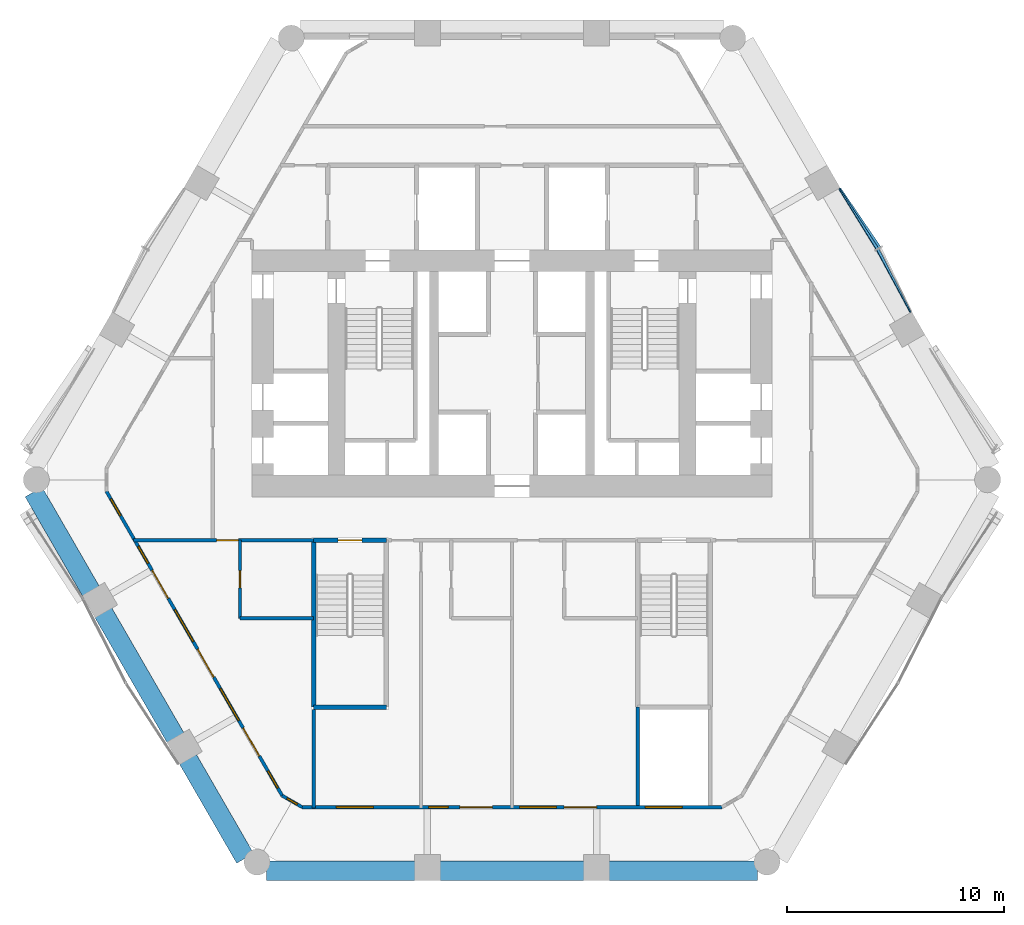
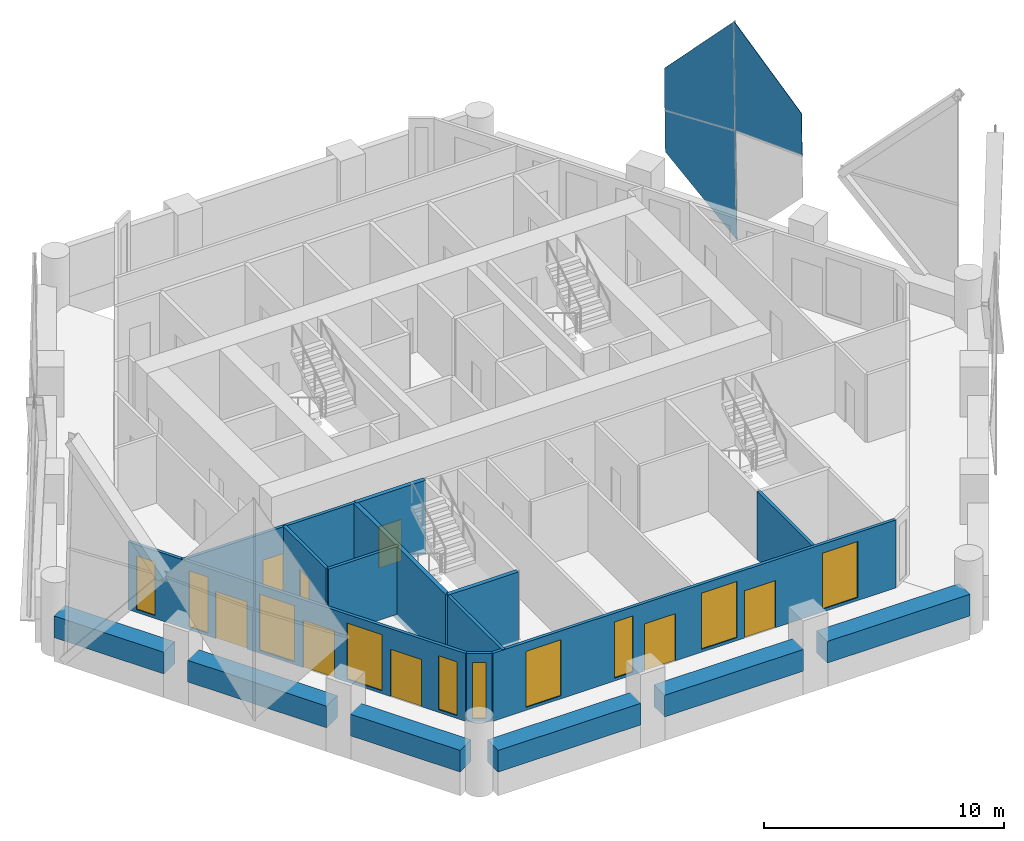
# One storey, part 9 of 17: 17 walls, 10 windows, 8 doors, 3 plates, 18 openings, 3 elements without a shape of their own.
"""IFC4 building model written with IfcOpenShell, lengths in metres."""

from ifc_helpers import new_model, si_unit, direction, frame, frame_2d, origin, place, context, subcontext, project, spatial, polyline, rectangle, outline, extrude, material, layer, layer_set, type_object, element, fill, aggregate, save


model = new_model("IFC4")

# Units and contexts
model_context = context("Model", 3, precision=1e-05, world=origin(), true_north=direction((0.0, 1.0)))
body_context = subcontext(model_context, "Body", "Model", "MODEL_VIEW")
ifc_project = project(units=[si_unit("LENGTHUNIT", "METRE"), si_unit("AREAUNIT", "SQUARE_METRE"), si_unit("VOLUMEUNIT", "CUBIC_METRE"), si_unit("PLANEANGLEUNIT", "RADIAN"), si_unit("MASSUNIT", "GRAM", prefix="KILO")], contexts=[model_context])

# Site, building, storey
site_placement = place(None, origin())
site = spatial("IfcSite", under=ifc_project, at=site_placement, CompositionType="ELEMENT")
building_placement = place(site_placement, origin())
building = spatial("IfcBuilding", under=site, at=building_placement, Name="Ostrander Bayou Hotel Tower", CompositionType="ELEMENT")
storey_placement = place(building_placement, frame((0.0, 0.0, 127.25)))
storey = spatial("IfcBuildingStorey", under=building, at=storey_placement, Name="L31", CompositionType="ELEMENT", Elevation=127.25)

# Curtain wall, plate
ifc_material_1 = material(Name="Aluminium and clear glass", Category="aluminium")
curtain_wall_type = type_object("IfcCurtainWallType", Name="CW-LAT lattice glazing", PredefinedType="NOTDEFINED", material=ifc_material_1)
curtain_wall_1_placement = place(storey_placement, origin())
curtain_wall_1 = element("IfcCurtainWall", 1, at=curtain_wall_1_placement, inside=storey, type_object=curtain_wall_type, Name="CW-LAT L31 NE 2", PredefinedType="NOTDEFINED")
ifc_material_2 = material(Name="Clear laminated glass", Category="glass")
ifc_layer_1 = layer(ifc_material_2, 0.028076171875)
ifc_layer_set_1 = layer_set([ifc_layer_1], Name="CW-LA glazing panel 28 mm")
plate_type = type_object("IfcPlateType", Name="CW-LA glazing panel 28 mm", PredefinedType="CURTAIN_PANEL", material=ifc_layer_set_1)
plate_1_placement = place(storey_placement, frame((18.37841796875, 6.802978515625, 7.177001953125), z_axis=(0.890627750947, 0.45421004496, 0.021804685295), x_axis=(-0.326908557948, 0.606206643193, 0.72501331056)))
plate_1 = element("IfcPlate", 2, at=plate_1_placement, type_object=plate_type, Name="CW-LAT panel 4", PredefinedType="CURTAIN_PANEL", context=body_context, shape_type="SweptSolid", body=[
    extrude(outline(polyline([(0.0, 0.0), (4.7901190545729175, 0.0), (0.714269215921358, -3.878551127590245), (-1.5609246853981673, -1.4823128322869166), (0.0, 0.0)])), origin(), (0.0, 0.0, -1.0), 0.028076171875),
])
aggregate(curtain_wall_1, [plate_1])

curtain_wall_2_placement = place(storey_placement, origin())
curtain_wall_2 = element("IfcCurtainWall", 3, at=curtain_wall_2_placement, inside=storey, type_object=curtain_wall_type, Name="CW-LAT L31 NE 3", PredefinedType="NOTDEFINED")
plate_2_placement = place(storey_placement, frame((15.159423828125, 12.5654296875, 2.878173828125), z_axis=(0.838664643494, 0.544213283707, 0.021760459349), x_axis=(0.388463405339, -0.56968520667, -0.724261657147)))
plate_2 = element("IfcPlate", 4, at=plate_2_placement, type_object=plate_type, Name="CW-LAT panel 5", PredefinedType="CURTAIN_PANEL", context=body_context, shape_type="SweptSolid", body=[
    extrude(outline(polyline([(0.0, 0.0), (4.802511132549458, 4.440892098500626e-16), (0.7223330344284677, -3.8739947713482854), (-1.5548959111869025, -1.4808485363644042), (0.0, 0.0)])), origin(), (0.0, 0.0, -1.0), 0.028076171875),
])
aggregate(curtain_wall_2, [plate_2])

curtain_wall_3_placement = place(storey_placement, origin())
curtain_wall_3 = element("IfcCurtainWall", 5, at=curtain_wall_3_placement, inside=storey, type_object=curtain_wall_type, Name="CW-LAT L31 NE 4", PredefinedType="NOTDEFINED")
plate_3_placement = place(storey_placement, frame((15.080810546875, 12.5146484375, 7.177001953125), z_axis=(0.838668477295, 0.54420649775, 0.021782401119), x_axis=(0.361540231116, -0.586184489623, 0.72503545114)))
plate_3 = element("IfcPlate", 6, at=plate_3_placement, type_object=plate_type, Name="CW-LAT panel 6", PredefinedType="CURTAIN_PANEL", context=body_context, shape_type="SweptSolid", body=[
    extrude(outline(polyline([(0.0, 0.0), (4.789976066144692, 0.0), (0.7142149430020557, 3.878644352715165), (-1.5610211698020977, 1.4822062349512228), (0.0, 0.0)])), origin(), (0.0, 0.0, -1.0), 0.028076171875),
])
aggregate(curtain_wall_3, [plate_3])

# Wall, openings, doors, windows
ifc_material_3 = material(Name="Aluminium framed insulated wall", Category="aluminium")
ifc_layer_2 = layer(ifc_material_3, 0.14990234375)
ifc_layer_set_2 = layer_set([ifc_layer_2], Name="GW1 glass-line wall 150 mm")
wall_type_1 = type_object("IfcWallType", Name="GW1 glass-line wall 150 mm", PredefinedType="SOLIDWALL", material=ifc_layer_set_2)
wall_1_placement = place(storey_placement, frame((-18.7099609375, -1.443603515625, 0.0), z_axis=(0.0, 0.0, 1.0), x_axis=(0.500010582961, -0.866019293623, 0.0)))
wall_1 = element("IfcWall", 7, at=wall_1_placement, inside=storey, type_object=wall_type_1, Name="GW1 L31 SW 1", PredefinedType="SOLIDWALL", context=body_context, shape_type="SweptSolid", body=[
    extrude(rectangle(XDim=16.209716796875, YDim=0.14990234375, at=frame_2d((8.10498046875, 0.0))), origin(), (0.0, 0.0, 1.0), 3.449951171875),
])
opening_1_placement = place(wall_1_placement, frame((2.9296875, 0.0, 0.14990234375)))
opening_1 = element("IfcOpeningElement", 8, at=opening_1_placement, cuts=wall_1, Name="Opening W16", PredefinedType="OPENING", context=body_context, shape_type="SweptSolid", body=[
    extrude(rectangle(XDim=0.89990234375, YDim=2.85009765625, at=frame_2d((0.449951171875, 1.425048828125))), frame((0.0, 0.074951171875, 0.0), z_axis=(0.0, -1.0, 0.0), x_axis=(1.0, 0.0, 0.0)), (0.0, 0.0, 1.0), 0.14990234375),
])
opening_2_placement = place(wall_1_placement, frame((4.204833984375, 0.0, 0.0)))
opening_2 = element("IfcOpeningElement", 9, at=opening_2_placement, cuts=wall_1, Name="Opening T31-801", PredefinedType="OPENING", context=body_context, shape_type="SweptSolid", body=[
    extrude(rectangle(XDim=1.5, YDim=2.39990234375, at=frame_2d((0.75, 1.199951171875))), frame((0.0, 0.074951171875, 0.0), z_axis=(0.0, -1.0, 0.0), x_axis=(1.0, 0.0, 0.0)), (0.0, 0.0, 1.0), 0.14990234375),
])
opening_3_placement = place(wall_1_placement, frame((6.304931640625, 0.0, 0.14990234375)))
opening_3 = element("IfcOpeningElement", 10, at=opening_3_placement, cuts=wall_1, Name="Opening W2", PredefinedType="OPENING", context=body_context, shape_type="SweptSolid", body=[
    extrude(rectangle(XDim=1.699951171875, YDim=2.85009765625, at=frame_2d((0.85009765625, 1.425048828125))), frame((0.0, 0.074951171875, 0.0), z_axis=(0.0, -1.0, 0.0), x_axis=(1.0, 0.0, 0.0)), (0.0, 0.0, 1.0), 0.14990234375),
])
opening_4_placement = place(wall_1_placement, frame((8.40478515625, 0.0, 0.0)))
opening_4 = element("IfcOpeningElement", 11, at=opening_4_placement, cuts=wall_1, Name="Opening T31-802", PredefinedType="OPENING", context=body_context, shape_type="SweptSolid", body=[
    extrude(rectangle(XDim=1.5, YDim=2.39990234375, at=frame_2d((0.75, 1.199951171875))), frame((0.0, 0.074951171875, 0.0), z_axis=(0.0, -1.0, 0.0), x_axis=(1.0, 0.0, 0.0)), (0.0, 0.0, 1.0), 0.14990234375),
])
opening_5_placement = place(wall_1_placement, frame((10.5048828125, 0.0, 0.14990234375)))
opening_5 = element("IfcOpeningElement", 12, at=opening_5_placement, cuts=wall_1, Name="Opening W2", PredefinedType="OPENING", context=body_context, shape_type="SweptSolid", body=[
    extrude(rectangle(XDim=1.699951171875, YDim=2.85009765625, at=frame_2d((0.85009765625, 1.425048828125))), frame((0.0, 0.074951171875, 0.0), z_axis=(0.0, -1.0, 0.0), x_axis=(1.0, 0.0, 0.0)), (0.0, 0.0, 1.0), 0.14990234375),
])
opening_6_placement = place(wall_1_placement, frame((12.60498046875, 0.0, 0.0)))
opening_6 = element("IfcOpeningElement", 13, at=opening_6_placement, cuts=wall_1, Name="Opening T31-803", PredefinedType="OPENING", context=body_context, shape_type="SweptSolid", body=[
    extrude(rectangle(XDim=1.5, YDim=2.39990234375, at=frame_2d((0.75, 1.199951171875))), frame((0.0, 0.074951171875, 0.0), z_axis=(0.0, -1.0, 0.0), x_axis=(1.0, 0.0, 0.0)), (0.0, 0.0, 1.0), 0.14990234375),
])
opening_7_placement = place(wall_1_placement, frame((0.40234375, 0.0, 0.14990234375)))
opening_7 = element("IfcOpeningElement", 14, at=opening_7_placement, cuts=wall_1, Name="Opening W16", PredefinedType="OPENING", context=body_context, shape_type="SweptSolid", body=[
    extrude(rectangle(XDim=0.89990234375, YDim=2.72998046875, at=frame_2d((0.449951171875, 1.364990234375))), frame((0.0, 0.074951171875, 0.0), z_axis=(0.0, -1.0, 0.0), x_axis=(1.0, 0.0, 0.0)), (0.0, 0.0, 1.0), 0.14990234375),
])
opening_8_placement = place(wall_1_placement, frame((14.9072265625, 0.0, 0.14990234375)))
opening_8 = element("IfcOpeningElement", 15, at=opening_8_placement, cuts=wall_1, Name="Opening W16", PredefinedType="OPENING", context=body_context, shape_type="SweptSolid", body=[
    extrude(rectangle(XDim=0.89990234375, YDim=2.72998046875, at=frame_2d((0.449951171875, 1.364990234375))), frame((0.0, 0.074951171875, 0.0), z_axis=(0.0, -1.0, 0.0), x_axis=(1.0, 0.0, 0.0)), (0.0, 0.0, 1.0), 0.14990234375),
])
ifc_material_4 = material(Name="Aluminium and clear glass", Category="aluminium")
door_type_1 = type_object("IfcDoorType", Name="SD2 sliding glass door 1500 mm, zone 2", OperationType="SLIDING_TO_LEFT", PredefinedType="DOOR", material=ifc_material_4)
door_1_placement = place(opening_2_placement, origin())
door_1 = element("IfcDoor", 16, at=door_1_placement, inside=storey, type_object=door_type_1, Name="SD2 L31 SW 1", OperationType="SLIDING_TO_LEFT", OverallHeight=2.39990234375, OverallWidth=1.5, PredefinedType="DOOR", context=body_context, shape_type="SweptSolid", body=[
    extrude(rectangle(XDim=1.5, YDim=2.39990234375, at=frame_2d((0.75, 1.199951171875))), frame((0.0, 0.02490234375, 0.0), z_axis=(0.0, -1.0, 0.0), x_axis=(1.0, 0.0, 0.0)), (0.0, 0.0, 1.0), 0.050048828125),
])
fill(opening_2, door_1)
door_2_placement = place(opening_4_placement, origin())
door_2 = element("IfcDoor", 17, at=door_2_placement, inside=storey, type_object=door_type_1, Name="SD2 L31 SW 2", OperationType="SLIDING_TO_RIGHT", OverallHeight=2.39990234375, OverallWidth=1.5, PredefinedType="DOOR", context=body_context, shape_type="SweptSolid", body=[
    extrude(rectangle(XDim=1.5, YDim=2.39990234375, at=frame_2d((0.75, 1.199951171875))), frame((0.0, 0.02490234375, 0.0), z_axis=(0.0, -1.0, 0.0), x_axis=(1.0, 0.0, 0.0)), (0.0, 0.0, 1.0), 0.050048828125),
])
fill(opening_4, door_2)
door_3_placement = place(opening_6_placement, origin())
door_3 = element("IfcDoor", 18, at=door_3_placement, inside=storey, type_object=door_type_1, Name="SD2 L31 SW 3", OperationType="SLIDING_TO_LEFT", OverallHeight=2.39990234375, OverallWidth=1.5, PredefinedType="DOOR", context=body_context, shape_type="SweptSolid", body=[
    extrude(rectangle(XDim=1.5, YDim=2.39990234375, at=frame_2d((0.75, 1.199951171875))), frame((0.0, 0.02490234375, 0.0), z_axis=(0.0, -1.0, 0.0), x_axis=(1.0, 0.0, 0.0)), (0.0, 0.0, 1.0), 0.050048828125),
])
fill(opening_6, door_3)
ifc_material_5 = material(Name="Aluminium and clear glass", Category="aluminium")
window_type_1 = type_object("IfcWindowType", Name="W16 window 900 mm, zone 2", PartitioningType="SINGLE_PANEL", PredefinedType="WINDOW", material=ifc_material_5)
window_1_placement = place(opening_1_placement, origin())
window_1 = element("IfcWindow", 19, at=window_1_placement, inside=storey, type_object=window_type_1, Name="W16 L31 SW 1", OverallHeight=2.85009765625, OverallWidth=0.89990234375, PartitioningType="SINGLE_PANEL", PredefinedType="WINDOW", context=body_context, shape_type="SweptSolid", body=[
    extrude(rectangle(XDim=0.89990234375, YDim=2.85009765625, at=frame_2d((0.449951171875, 1.425048828125))), frame((0.0, 0.030029296875, 0.0), z_axis=(0.0, -1.0, 0.0), x_axis=(1.0, 0.0, 0.0)), (0.0, 0.0, 1.0), 0.06005859375),
])
fill(opening_1, window_1)
window_2_placement = place(opening_7_placement, origin())
window_2 = element("IfcWindow", 20, at=window_2_placement, inside=storey, type_object=window_type_1, Name="W16 L31 SW E11", OverallHeight=2.72998046875, OverallWidth=0.89990234375, PartitioningType="SINGLE_PANEL", PredefinedType="WINDOW", context=body_context, shape_type="SweptSolid", body=[
    extrude(rectangle(XDim=0.89990234375, YDim=2.72998046875, at=frame_2d((0.449951171875, 1.364990234375))), frame((0.0, 0.030029296875, 0.0), z_axis=(0.0, -1.0, 0.0), x_axis=(1.0, 0.0, 0.0)), (0.0, 0.0, 1.0), 0.06005859375),
])
fill(opening_7, window_2)
window_3_placement = place(opening_8_placement, origin())
window_3 = element("IfcWindow", 21, at=window_3_placement, inside=storey, type_object=window_type_1, Name="W16 L31 SW E21", OverallHeight=2.72998046875, OverallWidth=0.89990234375, PartitioningType="SINGLE_PANEL", PredefinedType="WINDOW", context=body_context, shape_type="SweptSolid", body=[
    extrude(rectangle(XDim=0.89990234375, YDim=2.72998046875, at=frame_2d((0.449951171875, 1.364990234375))), frame((0.0, 0.030029296875, 0.0), z_axis=(0.0, -1.0, 0.0), x_axis=(1.0, 0.0, 0.0)), (0.0, 0.0, 1.0), 0.06005859375),
])
fill(opening_8, window_3)
ifc_material_6 = material(Name="Aluminium and clear glass", Category="aluminium")
window_type_2 = type_object("IfcWindowType", Name="W2 fixed window 1700 mm, zone 2", PartitioningType="SINGLE_PANEL", PredefinedType="WINDOW", material=ifc_material_6)
window_4_placement = place(opening_3_placement, origin())
window_4 = element("IfcWindow", 22, at=window_4_placement, inside=storey, type_object=window_type_2, Name="W2 L31 SW 2", OverallHeight=2.85009765625, OverallWidth=1.699951171875, PartitioningType="SINGLE_PANEL", PredefinedType="WINDOW", context=body_context, shape_type="SweptSolid", body=[
    extrude(rectangle(XDim=1.699951171875, YDim=2.85009765625, at=frame_2d((0.85009765625, 1.425048828125))), frame((0.0, 0.030029296875, 0.0), z_axis=(0.0, -1.0, 0.0), x_axis=(1.0, 0.0, 0.0)), (0.0, 0.0, 1.0), 0.06005859375),
])
fill(opening_3, window_4)
window_5_placement = place(opening_5_placement, origin())
window_5 = element("IfcWindow", 23, at=window_5_placement, inside=storey, type_object=window_type_2, Name="W2 L31 SW 3", OverallHeight=2.85009765625, OverallWidth=1.699951171875, PartitioningType="SINGLE_PANEL", PredefinedType="WINDOW", context=body_context, shape_type="SweptSolid", body=[
    extrude(rectangle(XDim=1.699951171875, YDim=2.85009765625, at=frame_2d((0.85009765625, 1.425048828125))), frame((0.0, 0.030029296875, 0.0), z_axis=(0.0, -1.0, 0.0), x_axis=(1.0, 0.0, 0.0)), (0.0, 0.0, 1.0), 0.06005859375),
])
fill(opening_5, window_5)

wall_2_placement = place(storey_placement, frame((-9.6826171875, -16.013916015625, 0.0), z_axis=(0.0, 0.0, 1.0), x_axis=(1.0, 0.0, 0.0)))
wall_2 = element("IfcWall", 24, at=wall_2_placement, inside=storey, type_object=wall_type_1, Name="GW1 L31 S 1", PredefinedType="SOLIDWALL", context=body_context, shape_type="SweptSolid", body=[
    extrude(rectangle(XDim=19.365234375, YDim=0.14990234375, at=frame_2d((9.6826171875, 0.0))), origin(), (0.0, 0.0, 1.0), 3.449951171875),
])
opening_9_placement = place(wall_2_placement, frame((1.582763671875, 0.0, 0.14990234375)))
opening_9 = element("IfcOpeningElement", 25, at=opening_9_placement, cuts=wall_2, Name="Opening W2", PredefinedType="OPENING", context=body_context, shape_type="SweptSolid", body=[
    extrude(rectangle(XDim=1.699951171875, YDim=2.85009765625, at=frame_2d((0.85009765625, 1.425048828125))), frame((0.0, 0.074951171875, 0.0), z_axis=(0.0, -1.0, 0.0), x_axis=(1.0, 0.0, 0.0)), (0.0, 0.0, 1.0), 0.14990234375),
])
opening_10_placement = place(wall_2_placement, frame((5.832763671875, 0.0, 0.14990234375)))
opening_10 = element("IfcOpeningElement", 26, at=opening_10_placement, cuts=wall_2, Name="Opening W16", PredefinedType="OPENING", context=body_context, shape_type="SweptSolid", body=[
    extrude(rectangle(XDim=0.89990234375, YDim=2.85009765625, at=frame_2d((0.449951171875, 1.425048828125))), frame((0.0, 0.074951171875, 0.0), z_axis=(0.0, -1.0, 0.0), x_axis=(1.0, 0.0, 0.0)), (0.0, 0.0, 1.0), 0.14990234375),
])
opening_11_placement = place(wall_2_placement, frame((7.28271484375, 0.0, 0.0)))
opening_11 = element("IfcOpeningElement", 27, at=opening_11_placement, cuts=wall_2, Name="Opening T31-804", PredefinedType="OPENING", context=body_context, shape_type="SweptSolid", body=[
    extrude(rectangle(XDim=1.5, YDim=2.39990234375, at=frame_2d((0.75, 1.199951171875))), frame((0.0, 0.074951171875, 0.0), z_axis=(0.0, -1.0, 0.0), x_axis=(1.0, 0.0, 0.0)), (0.0, 0.0, 1.0), 0.14990234375),
])
opening_12_placement = place(wall_2_placement, frame((10.03271484375, 0.0, 0.14990234375)))
opening_12 = element("IfcOpeningElement", 28, at=opening_12_placement, cuts=wall_2, Name="Opening W2", PredefinedType="OPENING", context=body_context, shape_type="SweptSolid", body=[
    extrude(rectangle(XDim=1.699951171875, YDim=2.85009765625, at=frame_2d((0.85009765625, 1.425048828125))), frame((0.0, 0.074951171875, 0.0), z_axis=(0.0, -1.0, 0.0), x_axis=(1.0, 0.0, 0.0)), (0.0, 0.0, 1.0), 0.14990234375),
])
opening_13_placement = place(wall_2_placement, frame((12.082763671875, 0.0, 0.0)))
opening_13 = element("IfcOpeningElement", 29, at=opening_13_placement, cuts=wall_2, Name="Opening T31-805", PredefinedType="OPENING", context=body_context, shape_type="SweptSolid", body=[
    extrude(rectangle(XDim=1.5, YDim=2.39990234375, at=frame_2d((0.75, 1.199951171875))), frame((0.0, 0.074951171875, 0.0), z_axis=(0.0, -1.0, 0.0), x_axis=(1.0, 0.0, 0.0)), (0.0, 0.0, 1.0), 0.14990234375),
])
opening_14_placement = place(wall_2_placement, frame((15.832763671875, 0.0, 0.14990234375)))
opening_14 = element("IfcOpeningElement", 30, at=opening_14_placement, cuts=wall_2, Name="Opening W2", PredefinedType="OPENING", context=body_context, shape_type="SweptSolid", body=[
    extrude(rectangle(XDim=1.699951171875, YDim=2.85009765625, at=frame_2d((0.85009765625, 1.425048828125))), frame((0.0, 0.074951171875, 0.0), z_axis=(0.0, -1.0, 0.0), x_axis=(1.0, 0.0, 0.0)), (0.0, 0.0, 1.0), 0.14990234375),
])
door_4_placement = place(opening_11_placement, origin())
door_4 = element("IfcDoor", 31, at=door_4_placement, inside=storey, type_object=door_type_1, Name="SD2 L31 S 2", OperationType="SLIDING_TO_RIGHT", OverallHeight=2.39990234375, OverallWidth=1.5, PredefinedType="DOOR", context=body_context, shape_type="SweptSolid", body=[
    extrude(rectangle(XDim=1.5, YDim=2.39990234375, at=frame_2d((0.75, 1.199951171875))), frame((0.0, 0.02490234375, 0.0), z_axis=(0.0, -1.0, 0.0), x_axis=(1.0, 0.0, 0.0)), (0.0, 0.0, 1.0), 0.050048828125),
])
fill(opening_11, door_4)
door_5_placement = place(opening_13_placement, origin())
door_5 = element("IfcDoor", 32, at=door_5_placement, inside=storey, type_object=door_type_1, Name="SD2 L31 S 3", OperationType="SLIDING_TO_LEFT", OverallHeight=2.39990234375, OverallWidth=1.5, PredefinedType="DOOR", context=body_context, shape_type="SweptSolid", body=[
    extrude(rectangle(XDim=1.5, YDim=2.39990234375, at=frame_2d((0.75, 1.199951171875))), frame((0.0, 0.02490234375, 0.0), z_axis=(0.0, -1.0, 0.0), x_axis=(1.0, 0.0, 0.0)), (0.0, 0.0, 1.0), 0.050048828125),
])
fill(opening_13, door_5)
window_6_placement = place(opening_10_placement, origin())
window_6 = element("IfcWindow", 33, at=window_6_placement, inside=storey, type_object=window_type_1, Name="W16 L31 S 2", OverallHeight=2.85009765625, OverallWidth=0.89990234375, PartitioningType="SINGLE_PANEL", PredefinedType="WINDOW", context=body_context, shape_type="SweptSolid", body=[
    extrude(rectangle(XDim=0.89990234375, YDim=2.85009765625, at=frame_2d((0.449951171875, 1.425048828125))), frame((0.0, 0.030029296875, 0.0), z_axis=(0.0, -1.0, 0.0), x_axis=(1.0, 0.0, 0.0)), (0.0, 0.0, 1.0), 0.06005859375),
])
fill(opening_10, window_6)
window_7_placement = place(opening_9_placement, origin())
window_7 = element("IfcWindow", 34, at=window_7_placement, inside=storey, type_object=window_type_2, Name="W2 L31 S 1", OverallHeight=2.85009765625, OverallWidth=1.699951171875, PartitioningType="SINGLE_PANEL", PredefinedType="WINDOW", context=body_context, shape_type="SweptSolid", body=[
    extrude(rectangle(XDim=1.699951171875, YDim=2.85009765625, at=frame_2d((0.85009765625, 1.425048828125))), frame((0.0, 0.030029296875, 0.0), z_axis=(0.0, -1.0, 0.0), x_axis=(1.0, 0.0, 0.0)), (0.0, 0.0, 1.0), 0.06005859375),
])
fill(opening_9, window_7)
window_8_placement = place(opening_12_placement, origin())
window_8 = element("IfcWindow", 35, at=window_8_placement, inside=storey, type_object=window_type_2, Name="W2 L31 S 3", OverallHeight=2.85009765625, OverallWidth=1.699951171875, PartitioningType="SINGLE_PANEL", PredefinedType="WINDOW", context=body_context, shape_type="SweptSolid", body=[
    extrude(rectangle(XDim=1.699951171875, YDim=2.85009765625, at=frame_2d((0.85009765625, 1.425048828125))), frame((0.0, 0.030029296875, 0.0), z_axis=(0.0, -1.0, 0.0), x_axis=(1.0, 0.0, 0.0)), (0.0, 0.0, 1.0), 0.06005859375),
])
fill(opening_12, window_8)
window_9_placement = place(opening_14_placement, origin())
window_9 = element("IfcWindow", 36, at=window_9_placement, inside=storey, type_object=window_type_2, Name="W2 L31 S 4", OverallHeight=2.85009765625, OverallWidth=1.699951171875, PartitioningType="SINGLE_PANEL", PredefinedType="WINDOW", context=body_context, shape_type="SweptSolid", body=[
    extrude(rectangle(XDim=1.699951171875, YDim=2.85009765625, at=frame_2d((0.85009765625, 1.425048828125))), frame((0.0, 0.030029296875, 0.0), z_axis=(0.0, -1.0, 0.0), x_axis=(1.0, 0.0, 0.0)), (0.0, 0.0, 1.0), 0.06005859375),
])
fill(opening_14, window_9)

# Wall, opening, window
wall_3_placement = place(storey_placement, frame((-10.60498046875, -15.4814453125, 0.0), z_axis=(0.0, 0.0, 1.0), x_axis=(0.866048165231, -0.499960573946, 0.0)))
wall_3 = element("IfcWall", 37, at=wall_3_placement, inside=storey, type_object=wall_type_1, Name="GW1 L31 corner 3", PredefinedType="SOLIDWALL", context=body_context, shape_type="SweptSolid", body=[
    extrude(rectangle(XDim=1.06494140625, YDim=0.14990234375, at=frame_2d((0.532470703125, 0.0))), origin(), (0.0, 0.0, 1.0), 3.449951171875),
])
opening_15_placement = place(wall_3_placement, frame((0.257568359375, 0.0, 0.14990234375)))
opening_15 = element("IfcOpeningElement", 38, at=opening_15_placement, cuts=wall_3, Name="Opening W19", PredefinedType="OPENING", context=body_context, shape_type="SweptSolid", body=[
    extrude(rectangle(XDim=0.550048828125, YDim=2.85009765625, at=frame_2d((0.27490234375, 1.425048828125))), frame((0.0, 0.074951171875, 0.0), z_axis=(0.0, -1.0, 0.0), x_axis=(1.0, 0.0, 0.0)), (0.0, 0.0, 1.0), 0.14990234375),
])
ifc_material_7 = material(Name="Aluminium and clear glass", Category="aluminium")
window_type_3 = type_object("IfcWindowType", Name="W19 corner window 550 mm", PartitioningType="SINGLE_PANEL", PredefinedType="WINDOW", material=ifc_material_7)
window_10_placement = place(opening_15_placement, origin())
window_10 = element("IfcWindow", 39, at=window_10_placement, inside=storey, type_object=window_type_3, Name="W19 L31 corner 3", OverallHeight=2.85009765625, OverallWidth=0.550048828125, PartitioningType="SINGLE_PANEL", PredefinedType="WINDOW", context=body_context, shape_type="SweptSolid", body=[
    extrude(rectangle(XDim=0.550048828125, YDim=2.85009765625, at=frame_2d((0.27490234375, 1.425048828125))), frame((0.0, 0.030029296875, 0.0), z_axis=(0.0, -1.0, 0.0), x_axis=(1.0, 0.0, 0.0)), (0.0, 0.0, 1.0), 0.06005859375),
])
fill(opening_15, window_10)

# Walls
ifc_material_8 = material(Name="Concrete f'c 40 MPa", Category="concrete")
ifc_layer_3 = layer(ifc_material_8, 0.89990234375)
ifc_layer_set_3 = layer_set([ifc_layer_3], Name="PA1 stone-faced parapet 900 mm")
wall_type_2 = type_object("IfcWallType", Name="PA1 stone-faced parapet 900 mm", PredefinedType="PARAPET", material=ifc_layer_set_3)
wall_4_placement = place(storey_placement, frame((-11.335693359375, -18.93896484375, 0.0), z_axis=(0.0, 0.0, 1.0), x_axis=(1.0, 0.0, 0.0)))
element("IfcWall", 40, at=wall_4_placement, inside=storey, type_object=wall_type_2, Name="PA1 L31 S-1", PredefinedType="PARAPET", context=body_context, shape_type="SweptSolid", body=[
    extrude(rectangle(XDim=6.85888671875, YDim=0.89990234375, at=frame_2d((3.429443359375, 0.0))), origin(), (0.0, 0.0, 1.0), 1.10009765625),
])
wall_5_placement = place(storey_placement, frame((-3.336669921875, -18.93896484375, 0.0), z_axis=(0.0, 0.0, 1.0), x_axis=(1.0, 0.0, 0.0)))
element("IfcWall", 41, at=wall_5_placement, inside=storey, type_object=wall_type_2, Name="PA1 L31 S-2", PredefinedType="PARAPET", context=body_context, shape_type="SweptSolid", body=[
    extrude(rectangle(XDim=6.67333984375, YDim=0.89990234375, at=frame_2d((3.336669921875, 0.0))), origin(), (0.0, 0.0, 1.0), 1.10009765625),
])
wall_6_placement = place(storey_placement, frame((4.476806640625, -18.93896484375, 0.0), z_axis=(0.0, 0.0, 1.0), x_axis=(1.0, 0.0, 0.0)))
element("IfcWall", 42, at=wall_6_placement, inside=storey, type_object=wall_type_2, Name="PA1 L31 S-3", PredefinedType="PARAPET", context=body_context, shape_type="SweptSolid", body=[
    extrude(rectangle(XDim=6.85888671875, YDim=0.89990234375, at=frame_2d((3.429443359375, 0.0))), origin(), (0.0, 0.0, 1.0), 1.10009765625),
])
ifc_material_9 = material(Name="Limestone masonry", Category="masonry")
ifc_layer_4 = layer(ifc_material_9, 0.89990234375)
ifc_layer_set_4 = layer_set([ifc_layer_4], Name="PA2 limestone parapet 900 mm")
wall_type_3 = type_object("IfcWallType", Name="PA2 limestone parapet 900 mm", PredefinedType="PARAPET", material=ifc_layer_set_4)
wall_7_placement = place(storey_placement, frame((-22.0693359375, -1.474609375, 0.0), z_axis=(0.0, 0.0, 1.0), x_axis=(0.499982573574, -0.866035464703, 0.0)))
element("IfcWall", 43, at=wall_7_placement, inside=storey, type_object=wall_type_3, Name="PA2 L31 SW-1", PredefinedType="PARAPET", context=body_context, shape_type="SweptSolid", body=[
    extrude(rectangle(XDim=5.281005859375, YDim=0.89990234375, at=frame_2d((2.640625, 0.0))), origin(), (0.0, 0.0, 1.0), 1.10009765625),
])
wall_8_placement = place(storey_placement, frame((-18.85888671875, -7.035400390625, 0.0), z_axis=(0.0, 0.0, 1.0), x_axis=(0.499999023957, -0.866025967302, 0.0)))
element("IfcWall", 44, at=wall_8_placement, inside=storey, type_object=wall_type_3, Name="PA2 L31 SW-2", PredefinedType="PARAPET", context=body_context, shape_type="SweptSolid", body=[
    extrude(rectangle(XDim=6.67333984375, YDim=0.89990234375, at=frame_2d((3.336669921875, 0.0))), origin(), (0.0, 0.0, 1.0), 1.10009765625),
])
wall_9_placement = place(storey_placement, frame((-14.9521484375, -13.802001953125, 0.0), z_axis=(0.0, 0.0, 1.0), x_axis=(0.499982573574, -0.866035464703, 0.0)))
element("IfcWall", 45, at=wall_9_placement, inside=storey, type_object=wall_type_3, Name="PA2 L31 SW-3", PredefinedType="PARAPET", context=body_context, shape_type="SweptSolid", body=[
    extrude(rectangle(XDim=5.281005859375, YDim=0.89990234375, at=frame_2d((2.640625, 0.0))), origin(), (0.0, 0.0, 1.0), 1.10009765625),
])
ifc_material_10 = material(Name="Gypsum board partition", Category="finish")
ifc_layer_5 = layer(ifc_material_10, 0.14990234375)
ifc_layer_set_5 = layer_set([ifc_layer_5], Name="PT7 riser wall 150 mm, 2 hour")
wall_type_4 = type_object("IfcWallType", Name="PT7 riser wall 150 mm, 2 hour", PredefinedType="PARTITIONING", material=ifc_layer_set_5)
wall_10_placement = place(storey_placement, frame((5.800048828125, -11.39990234375, 0.0), z_axis=(0.0, 0.0, 1.0), x_axis=(0.0, -1.0, 0.0)))
element("IfcWall", 46, at=wall_10_placement, inside=storey, type_object=wall_type_4, Name="cs:L31:019", PredefinedType="PARTITIONING", context=body_context, shape_type="SweptSolid", body=[
    extrude(rectangle(XDim=4.5390625, YDim=0.14990234375, at=frame_2d((2.26953125, 0.0))), origin(), (0.0, 0.0, 1.0), 3.449951171875),
])
ifc_material_11 = material(Name="Gypsum board partition", Category="finish")
ifc_layer_6 = layer(ifc_material_11, 0.14990234375)
ifc_layer_set_6 = layer_set([ifc_layer_6], Name="PT8 service band wall 150 mm, 1 hour")
wall_type_5 = type_object("IfcWallType", Name="PT8 service band wall 150 mm, 1 hour", PredefinedType="PARTITIONING", material=ifc_layer_set_6)
wall_11_placement = place(storey_placement, frame((-12.550048828125, -7.300048828125, 0.0), z_axis=(0.0, 0.0, 1.0), x_axis=(1.0, 0.0, 0.0)))
element("IfcWall", 47, at=wall_11_placement, inside=storey, type_object=wall_type_5, Name="gw:L31:001", PredefinedType="PARTITIONING", context=body_context, shape_type="SweptSolid", body=[
    extrude(rectangle(XDim=3.39013671875, YDim=0.14990234375, at=frame_2d((1.695068359375, 0.0))), origin(), (0.0, 0.0, 1.0), 3.449951171875),
])

# Wall, opening, door
wall_12_placement = place(storey_placement, frame((-17.458984375, -3.699951171875, 0.0), z_axis=(0.0, 0.0, 1.0), x_axis=(1.0, 0.0, 0.0)))
wall_12 = element("IfcWall", 48, at=wall_12_placement, inside=storey, type_object=wall_type_5, Name="gw:L31:005", PredefinedType="PARTITIONING", context=body_context, shape_type="SweptSolid", body=[
    extrude(rectangle(XDim=8.299072265625, YDim=0.14990234375, at=frame_2d((4.1494140625, 0.0))), origin(), (0.0, 0.0, 1.0), 3.449951171875),
])
opening_16_placement = place(wall_12_placement, frame((3.833984375, 0.0, 0.0)))
opening_16 = element("IfcOpeningElement", 49, at=opening_16_placement, cuts=wall_12, Name="Opening T31-403", PredefinedType="OPENING", context=body_context, shape_type="SweptSolid", body=[
    extrude(rectangle(XDim=1.0, YDim=2.10009765625, at=frame_2d((0.5, 1.050048828125))), frame((0.0, 0.074951171875, 0.0), z_axis=(0.0, -1.0, 0.0), x_axis=(1.0, 0.0, 0.0)), (0.0, 0.0, 1.0), 0.14990234375),
])
ifc_material_12 = material(Name="Timber door leaf", Category="wood")
door_type_2 = type_object("IfcDoorType", Name="D1 guest room door 1000 x 2100 mm, 30 minute", OperationType="SINGLE_SWING_LEFT", PredefinedType="DOOR", material=ifc_material_12)
door_6_placement = place(opening_16_placement, origin())
door_6 = element("IfcDoor", 50, at=door_6_placement, inside=storey, type_object=door_type_2, Name="dr:L31:403", OperationType="SINGLE_SWING_LEFT", OverallHeight=2.10009765625, OverallWidth=1.0, PredefinedType="DOOR", context=body_context, shape_type="SweptSolid", body=[
    extrude(rectangle(XDim=1.0, YDim=2.10009765625, at=frame_2d((0.5, 1.050048828125))), frame((0.0, 0.02490234375, 0.0), z_axis=(0.0, -1.0, 0.0), x_axis=(1.0, 0.0, 0.0)), (0.0, 0.0, 1.0), 0.050048828125),
])
fill(opening_16, door_6)

# Wall
wall_13_placement = place(storey_placement, frame((-9.14990234375, -16.05908203125, 0.0), z_axis=(0.0, 0.0, 1.0), x_axis=(0.0, 1.0, 0.0)))
element("IfcWall", 51, at=wall_13_placement, inside=storey, type_object=wall_type_5, Name="gw:L31:024", PredefinedType="PARTITIONING", context=body_context, shape_type="SweptSolid", body=[
    extrude(rectangle(XDim=4.549072265625, YDim=0.14990234375, at=frame_2d((2.2744140625, 0.0))), origin(), (0.0, 0.0, 1.0), 3.449951171875),
])

# Wall, opening, door
wall_14_placement = place(storey_placement, frame((-12.550048828125, -7.300048828125, 0.0), z_axis=(0.0, 0.0, 1.0), x_axis=(0.0, 1.0, 0.0)))
wall_14 = element("IfcWall", 52, at=wall_14_placement, inside=storey, type_object=wall_type_5, Name="gw:L31:026", PredefinedType="PARTITIONING", context=body_context, shape_type="SweptSolid", body=[
    extrude(rectangle(XDim=3.60009765625, YDim=0.14990234375, at=frame_2d((1.800048828125, 0.0))), origin(), (0.0, 0.0, 1.0), 3.449951171875),
])
opening_17_placement = place(wall_14_placement, frame((1.39990234375, 0.0, 0.0)))
opening_17 = element("IfcOpeningElement", 53, at=opening_17_placement, cuts=wall_14, Name="Opening T31-404", PredefinedType="OPENING", context=body_context, shape_type="SweptSolid", body=[
    extrude(rectangle(XDim=0.800048828125, YDim=2.10009765625, at=frame_2d((0.39990234375, 1.050048828125))), frame((0.0, 0.074951171875, 0.0), z_axis=(0.0, -1.0, 0.0), x_axis=(1.0, 0.0, 0.0)), (0.0, 0.0, 1.0), 0.14990234375),
])
ifc_material_13 = material(Name="Timber door leaf", Category="wood")
door_type_3 = type_object("IfcDoorType", Name="D2 bathroom door 800 x 2100 mm", OperationType="SINGLE_SWING_LEFT", PredefinedType="DOOR", material=ifc_material_13)
door_7_placement = place(opening_17_placement, origin())
door_7 = element("IfcDoor", 54, at=door_7_placement, inside=storey, type_object=door_type_3, Name="dr:L31:404", OperationType="SINGLE_SWING_RIGHT", OverallHeight=2.10009765625, OverallWidth=0.800048828125, PredefinedType="DOOR", context=body_context, shape_type="SweptSolid", body=[
    extrude(rectangle(XDim=0.800048828125, YDim=2.10009765625, at=frame_2d((0.39990234375, 1.050048828125))), frame((0.0, 0.02490234375, 0.0), z_axis=(0.0, -1.0, 0.0), x_axis=(1.0, 0.0, 0.0)), (0.0, 0.0, 1.0), 0.050048828125),
])
fill(opening_17, door_7)

ifc_material_14 = material(Name="Concrete f'c 45 MPa", Category="concrete")
ifc_layer_7 = layer(ifc_material_14, 0.199951171875)
ifc_layer_set_7 = layer_set([ifc_layer_7], Name="SW5 stair enclosure wall 200 mm f'c 45 MPa")
wall_type_6 = type_object("IfcWallType", Name="SW5 stair enclosure wall 200 mm f'c 45 MPa", PredefinedType="SOLIDWALL", material=ifc_layer_set_7)
wall_15_placement = place(storey_placement, frame((-9.14990234375, -3.699951171875, -0.300048828125), z_axis=(0.0, 0.0, 1.0), x_axis=(1.0, 0.0, 0.0)))
wall_15 = element("IfcWall", 55, at=wall_15_placement, inside=storey, type_object=wall_type_6, Name="cs:L31:021", PredefinedType="SOLIDWALL", context=body_context, shape_type="SweptSolid", body=[
    extrude(rectangle(XDim=3.349853515625, YDim=0.199951171875, at=frame_2d((1.6748046875, 0.0))), origin(), (0.0, 0.0, 1.0), 3.75),
])
opening_18_placement = place(wall_15_placement, frame((1.125, 0.0, 0.0)))
opening_18 = element("IfcOpeningElement", 56, at=opening_18_placement, cuts=wall_15, Name="Opening T31-008", PredefinedType="OPENING", context=body_context, shape_type="SweptSolid", body=[
    extrude(rectangle(XDim=1.10009765625, YDim=2.10009765625, at=frame_2d((0.550048828125, 1.050048828125))), frame((0.0, 0.10009765625, 0.0), z_axis=(0.0, -1.0, 0.0), x_axis=(1.0, 0.0, 0.0)), (0.0, 0.0, 1.0), 0.199951171875),
])
ifc_material_15 = material(Name="Timber door leaf", Category="wood")
door_type_4 = type_object("IfcDoorType", Name="D5 stair door 1100 x 2100 mm, 90 minute", OperationType="SINGLE_SWING_LEFT", PredefinedType="DOOR", material=ifc_material_15)
door_8_placement = place(opening_18_placement, origin())
door_8 = element("IfcDoor", 57, at=door_8_placement, inside=storey, type_object=door_type_4, Name="dr:L31:008", OperationType="SINGLE_SWING_LEFT", OverallHeight=2.10009765625, OverallWidth=1.10009765625, PredefinedType="DOOR", context=body_context, shape_type="SweptSolid", body=[
    extrude(rectangle(XDim=1.10009765625, YDim=2.10009765625, at=frame_2d((0.550048828125, 1.050048828125))), frame((0.0, 0.02490234375, 0.0), z_axis=(0.0, -1.0, 0.0), x_axis=(1.0, 0.0, 0.0)), (0.0, 0.0, 1.0), 0.050048828125),
])
fill(opening_18, door_8)

# Walls
wall_16_placement = place(storey_placement, frame((-9.14990234375, -3.699951171875, -0.300048828125), z_axis=(0.0, 0.0, 1.0), x_axis=(0.0, -1.0, 0.0)))
element("IfcWall", 58, at=wall_16_placement, inside=storey, type_object=wall_type_6, Name="cs:L31:022", PredefinedType="SOLIDWALL", context=body_context, shape_type="SweptSolid", body=[
    extrude(rectangle(XDim=7.699951171875, YDim=0.199951171875, at=frame_2d((3.85009765625, 0.0))), origin(), (0.0, 0.0, 1.0), 3.75),
])
wall_17_placement = place(storey_placement, frame((-9.14990234375, -11.39990234375, -0.300048828125), z_axis=(0.0, 0.0, 1.0), x_axis=(1.0, 0.0, 0.0)))
element("IfcWall", 59, at=wall_17_placement, inside=storey, type_object=wall_type_6, Name="cs:L31:024", PredefinedType="SOLIDWALL", context=body_context, shape_type="SweptSolid", body=[
    extrude(rectangle(XDim=3.349853515625, YDim=0.199951171875, at=frame_2d((1.6748046875, 0.0))), origin(), (0.0, 0.0, 1.0), 3.75),
])

save(model, "model.ifc")
